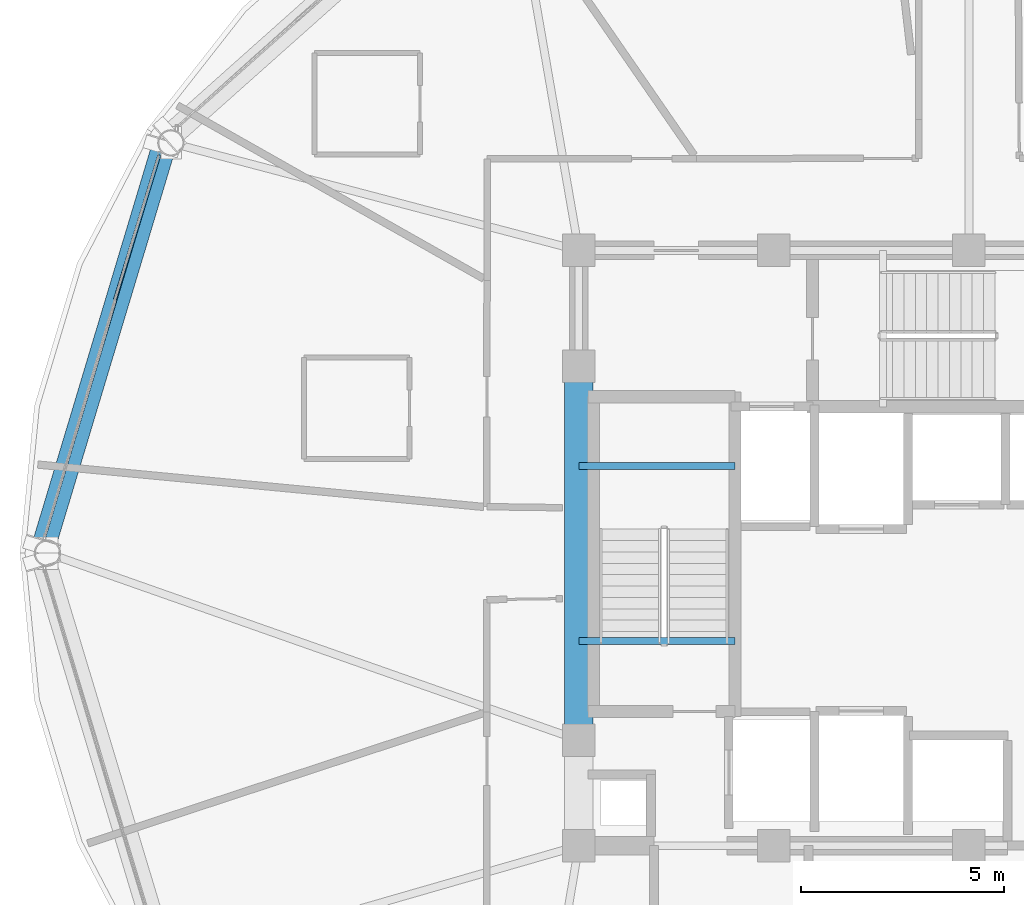
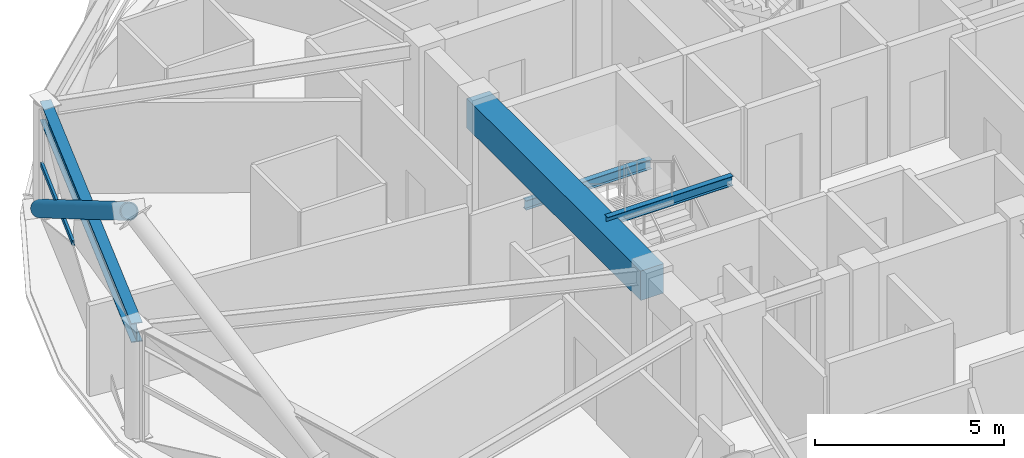
# One storey, part 8 of 30: 4 beams, 2 members, 1 element without a shape of its own.
"""IFC4 building model written with IfcOpenShell, lengths in metres."""

import ifcopenshell
import ifcopenshell.guid

model = None  # the IFC model being written
_history = None  # IfcOwnerHistory: only IFC2X3 demands one
_inside = {}  # id of a spatial element -> (the spatial element, [elements in it])
_under = {}  # id of a project, library or spatial element -> (it, [spatial elements below it])
_declared = {}  # id of a project -> (the project, [libraries it declares])
_typed = {}  # id of a type object -> (the type object, [elements of that type])
_made_of = {}  # id of a material, layer set ... -> (it, [elements and type objects made of it])


def new_model(schema):
    """Start an empty IFC model of exactly this schema.

    Asked for "IFC4X3", IfcOpenShell would pick the latest addendum, in which some entities
    have other attributes; the version numbers below select the first issue.
    IFC2X3 requires an IfcOwnerHistory on every rooted entity: one is made here for all.
    """
    global model, _history
    if schema == "IFC4X3":
        model = ifcopenshell.file(schema_version=(4, 3, 0, 0))
    else:
        model = ifcopenshell.file(schema=schema)
    _inside.clear()
    _under.clear()
    _declared.clear()
    _typed.clear()
    _made_of.clear()
    _history = None
    if model.schema == "IFC2X3":
        org = make("IfcOrganization", Name="unknown")
        user = make(
            "IfcPersonAndOrganization",
            ThePerson=make("IfcPerson", FamilyName="unknown"),
            TheOrganization=org,
        )
        app = make(
            "IfcApplication",
            ApplicationDeveloper=org,
            Version="unknown",
            ApplicationFullName="unknown",
            ApplicationIdentifier="unknown",
        )
        _history = make(
            "IfcOwnerHistory",
            OwningUser=user,
            OwningApplication=app,
            ChangeAction="ADDED",
            CreationDate=0,
        )
    return model


def make(cls, **values):
    """One entity of the class cls with the attributes given. An attribute that is None is left unset."""
    return model.create_entity(
        cls, **{name: value for name, value in values.items() if value is not None}
    )


def rooted(cls, **values):
    """An entity with a GlobalId (a new one), such as an element, a storey or a relation."""
    return make(cls, GlobalId=ifcopenshell.guid.new(), OwnerHistory=_history, **values)


def si_unit(unit_type, name, prefix=None):
    """IfcSIUnit, for example si_unit("LENGTHUNIT", "METRE", prefix="MILLI")."""
    return make("IfcSIUnit", UnitType=unit_type, Prefix=prefix, Name=name)


def assignment(units):
    """IfcUnitAssignment: the units of a project."""
    return None if units is None else make("IfcUnitAssignment", Units=units)


def point(xyz):
    """IfcCartesianPoint."""
    return None if xyz is None else make("IfcCartesianPoint", Coordinates=xyz)


def direction(xyz):
    """IfcDirection."""
    return None if xyz is None else make("IfcDirection", DirectionRatios=xyz)


def frame(location, z_axis=None, x_axis=None):
    """IfcAxis2Placement3D, a coordinate frame: its origin and axes. An axis left out is left unset."""
    return make(
        "IfcAxis2Placement3D",
        Location=point(location),
        Axis=direction(z_axis),
        RefDirection=direction(x_axis),
    )


def frame_2d(location, x_axis=None):
    """IfcAxis2Placement2D, a coordinate frame in the plane: its origin and x axis."""
    return make(
        "IfcAxis2Placement2D", Location=point(location), RefDirection=direction(x_axis)
    )


def origin():
    """The frame at (0, 0, 0) with its axes left unset."""
    return frame((0.0, 0.0, 0.0))


def origin_2d():
    """The frame at (0, 0) in the plane with its x axis left unset."""
    return frame_2d((0.0, 0.0))


def place(relative_to, where):
    """IfcLocalPlacement: puts the frame where relative to a parent placement (None: the world)."""
    return make(
        "IfcLocalPlacement", PlacementRelTo=relative_to, RelativePlacement=where
    )


def context(
    kind, dimensions, precision=None, world=None, true_north=None, identifier=None
):
    """IfcGeometricRepresentationContext, for example the 3D "Model" context."""
    return make(
        "IfcGeometricRepresentationContext",
        ContextIdentifier=identifier,
        ContextType=kind,
        CoordinateSpaceDimension=dimensions,
        Precision=precision,
        WorldCoordinateSystem=world,
        TrueNorth=true_north,
    )


def subcontext(parent, identifier, kind, view, scale=None):
    """IfcGeometricRepresentationSubContext, for example "Body" below "Model"."""
    return make(
        "IfcGeometricRepresentationSubContext",
        ContextIdentifier=identifier,
        ContextType=kind,
        ParentContext=parent,
        TargetScale=scale,
        TargetView=view,
    )


def project(units=None, contexts=None):
    """IfcProject with its units and contexts."""
    return rooted(
        "IfcProject",
        Name="project",
        RepresentationContexts=contexts,
        UnitsInContext=assignment(units),
    )


def spatial(cls, under=None, at=None, **own):
    """A site, building, storey or space (cls), placed at a placement, below another one or the project."""
    s = rooted(cls, ObjectPlacement=at, **own)
    if under is not None:
        _under.setdefault(under.id(), (under, []))[1].append(s)
    return s


def profile(cls, at=None, kind="AREA", **sizes):
    """A parametric profile (cls). Its sizes go by their IFC names, for example OverallWidth=200.0."""
    return make(cls, ProfileType=kind, Position=at, **sizes)


def rectangle(**sizes):
    """IfcRectangleProfileDef."""
    return profile("IfcRectangleProfileDef", **sizes)


def hollow_rectangle(**sizes):
    """IfcRectangleHollowProfileDef."""
    return profile("IfcRectangleHollowProfileDef", **sizes)


def hollow_circle(**sizes):
    """IfcCircleHollowProfileDef."""
    return profile("IfcCircleHollowProfileDef", **sizes)


def i_section(**sizes):
    """IfcIShapeProfileDef."""
    return profile("IfcIShapeProfileDef", **sizes)


def extrude(swept, where, along, depth):
    """IfcExtrudedAreaSolid: the profile swept, set in the frame where, extruded along a direction by depth."""
    return make(
        "IfcExtrudedAreaSolid",
        SweptArea=swept,
        Position=where,
        ExtrudedDirection=direction(along),
        Depth=depth,
    )


def shape(context_of_items, identifier, shape_type, items):
    """IfcShapeRepresentation: the items that make up one representation, for example the "Body"."""
    return make(
        "IfcShapeRepresentation",
        ContextOfItems=context_of_items,
        RepresentationIdentifier=identifier,
        RepresentationType=shape_type,
        Items=items,
    )


def material(Name=None, Category=None):
    """IfcMaterial."""
    return make("IfcMaterial", Name=Name, Category=Category)


def layer(
    of_material, thickness, ventilated=None, Name=None, Category=None, Priority=None
):
    """IfcMaterialLayer: one layer of a wall or slab, of a material (None: an air gap)."""
    return make(
        "IfcMaterialLayer",
        Material=of_material,
        LayerThickness=thickness,
        IsVentilated=ventilated,
        Name=Name,
        Category=Category,
        Priority=Priority,
    )


def layer_set(layers, Name=None):
    """IfcMaterialLayerSet."""
    return make("IfcMaterialLayerSet", MaterialLayers=layers, LayerSetName=Name)


def material_profile(
    of_material, cross_section, Name=None, Category=None, Priority=None
):
    """IfcMaterialProfile: a cross section and its material."""
    return make(
        "IfcMaterialProfile",
        Name=Name,
        Material=of_material,
        Profile=cross_section,
        Priority=Priority,
        Category=Category,
    )


def profile_set(profiles, Name=None, composite=None):
    """IfcMaterialProfileSet."""
    return make(
        "IfcMaterialProfileSet",
        Name=Name,
        MaterialProfiles=profiles,
        CompositeProfile=composite,
    )


def made_of(thing, what):
    """Note that an element or type object is made of a material, layer set ...; save() writes the relation."""
    if what is not None:
        _made_of.setdefault(what.id(), (what, []))[1].append(thing)
    return thing


def type_object(cls, material=None, **own):
    """A type object (cls), such as IfcWallType, which elements share."""
    return made_of(rooted(cls, **own), material)


def element(
    cls,
    number,
    at=None,
    inside=None,
    cuts=None,
    type_object=None,
    material=None,
    context=None,
    identifier="Body",
    shape_type=None,
    held_by="IfcProductDefinitionShape",
    body=None,
    shapes=None,
    **own,
):
    """One element of the class cls, such as IfcWall. Its Tag is "e" and its number.

    at: its placement. inside: the storey or other place that contains it. cuts: it is an
    opening in that element (IfcRelVoidsElement). A single representation is given by context,
    identifier, shape_type and body (its items); several are given by shapes. held_by: the class
    of the entity that holds the representations. save() writes the other relations.
    """
    e = rooted(cls, Tag="e%d" % number, ObjectPlacement=at, **own)
    if body is not None:
        shapes = [shape(context, identifier, shape_type, body)]
    if shapes is not None:
        e.Representation = make(held_by, Representations=shapes)
    if inside is not None:
        _inside.setdefault(inside.id(), (inside, []))[1].append(e)
    if cuts is not None:
        rooted(
            "IfcRelVoidsElement", RelatingBuildingElement=cuts, RelatedOpeningElement=e
        )
    if type_object is not None:
        _typed.setdefault(type_object.id(), (type_object, []))[1].append(e)
    return made_of(e, material)


def aggregate(whole, parts):
    """IfcRelAggregates: a whole, such as a stair, and the parts it consists of."""
    return rooted("IfcRelAggregates", RelatingObject=whole, RelatedObjects=parts)


def save(model, path):
    """Write the relations noted so far, then the file.

    IfcRelAggregates (storeys below a building ...), IfcRelContainedInSpatialStructure (elements
    in a storey), IfcRelDefinesByType, IfcRelAssociatesMaterial and IfcRelDeclares: one each for
    every whole, place, type object, material and project.
    """
    for whole, parts in _under.values():
        aggregate(whole, parts)
    for where, things in _inside.values():
        rooted(
            "IfcRelContainedInSpatialStructure",
            RelatedElements=things,
            RelatingStructure=where,
        )
    for kind, things in _typed.values():
        rooted("IfcRelDefinesByType", RelatedObjects=things, RelatingType=kind)
    for what, things in _made_of.values():
        rooted("IfcRelAssociatesMaterial", RelatedObjects=things, RelatingMaterial=what)
    for by, libraries in _declared.values():
        rooted("IfcRelDeclares", RelatingContext=by, RelatedDefinitions=libraries)
    model.write(path)


model = new_model("IFC4")

# Units and contexts
model_context = context("Model", 3, precision=1e-05, world=origin(), true_north=direction((0.0, 1.0)))
body_context = subcontext(model_context, "Body", "Model", "MODEL_VIEW")
ifc_project = project(units=[si_unit("LENGTHUNIT", "METRE"), si_unit("AREAUNIT", "SQUARE_METRE"), si_unit("VOLUMEUNIT", "CUBIC_METRE"), si_unit("PLANEANGLEUNIT", "RADIAN"), si_unit("MASSUNIT", "GRAM", prefix="KILO")], contexts=[model_context])

# Site, building, storey
site_placement = place(None, origin())
site = spatial("IfcSite", under=ifc_project, at=site_placement, CompositionType="ELEMENT")
building_placement = place(site_placement, origin())
building = spatial("IfcBuilding", under=site, at=building_placement, Name="Vantalir Tower", CompositionType="ELEMENT")
storey_placement = place(building_placement, frame((0.0, 0.0, 189.89990234375)))
storey = spatial("IfcBuildingStorey", under=building, at=storey_placement, Name="L47", CompositionType="ELEMENT", Elevation=189.89990234375)

# Beams
ifc_material_1 = material(Name="Concrete C60/75", Category="concrete")
ifc_material_profile_1 = material_profile(ifc_material_1, rectangle(XDim=0.699951171875, YDim=0.949951171875, at=origin_2d()), Name="Concrete C60/75")
ifc_profile_set_1 = profile_set([ifc_material_profile_1], Name="Concrete C60/75")
beam_type_1 = type_object("IfcBeamType", Name="BM-CB-700x950", PredefinedType="USERDEFINED", material=ifc_profile_set_1)
beam_1_placement = place(storey_placement, frame((21.89990234375, 29.60009765625, 3.09521484375), z_axis=(0.0, -1.0, 0.0), x_axis=(1.0, 0.0, 0.0)))
element("IfcBeam", 1, at=beam_1_placement, inside=storey, type_object=beam_type_1, Name="L47 Core Coupling Girder 13", ObjectType="GIRDER", PredefinedType="USERDEFINED", context=body_context, shape_type="SweptSolid", body=[
    extrude(rectangle(XDim=0.699951171875, YDim=0.949951171875, at=origin_2d()), origin(), (0.0, 0.0, 1.0), 9.2001953125),
])
ifc_material_2 = material(Name="Steel S355", Category="steel")
ifc_material_profile_2 = material_profile(ifc_material_2, i_section(OverallWidth=0.166015625, OverallDepth=0.306884765625, WebThickness=0.006591796875, FlangeThickness=0.01171875, at=origin_2d()), Name="Steel S355")
ifc_profile_set_2 = profile_set([ifc_material_profile_2], Name="Steel S355")
beam_type_2 = type_object("IfcBeamType", Name="BM-JS-305x165", PredefinedType="JOIST", material=ifc_profile_set_2)
for number, where, z_axis, x_axis, name in (
    (2, (21.89990234375, 22.8349609375, 3.59619140625), (1.0, 0.0, 0.0), (0.0, 1.0, 0.0), "L48 Stair ST1 Well Nosing Trimmer Beam"),
    (3, (21.89990234375, 27.14501953125, 1.52099609375), (1.0, 0.0, 0.0), (0.0, 1.0, 0.0), "L47 Stair ST1 Half-Landing Support Beam"),
):
    element("IfcBeam", number, at=place(storey_placement, frame(where, z_axis=z_axis, x_axis=x_axis)), inside=storey, type_object=beam_type_2, Name=name, PredefinedType="JOIST", context=body_context, shape_type="SweptSolid", body=[
        extrude(i_section(OverallWidth=0.166015625, OverallDepth=0.306884765625, WebThickness=0.006591796875, FlangeThickness=0.01171875, at=origin_2d()), origin(), (0.0, 0.0, 1.0), 3.840087890625),
    ])
ifc_material_3 = material(Name="Steel S460", Category="steel")
ifc_material_profile_3 = material_profile(ifc_material_3, i_section(OverallWidth=0.306884765625, OverallDepth=0.6201171875, WebThickness=0.01416015625, FlangeThickness=0.023681640625, at=origin_2d()), Name="Steel S460")
ifc_profile_set_3 = profile_set([ifc_material_profile_3], Name="Steel S460")
beam_type_3 = type_object("IfcBeamType", Name="BM-RG-610x305", PredefinedType="USERDEFINED", material=ifc_profile_set_3)
beam_2_placement = place(storey_placement, frame((11.862060546875, 35.093994140625, 3.260009765625), z_axis=(-0.288208317462, -0.957567734286, 0.0), x_axis=(0.957567734286, -0.288208317462, 0.0)))
element("IfcBeam", 4, at=beam_2_placement, inside=storey, type_object=beam_type_3, Name="L47 Circumferential Ring Girder 06", ObjectType="GIRDER", PredefinedType="USERDEFINED", context=body_context, shape_type="SweptSolid", body=[
    extrude(i_section(OverallWidth=0.306884765625, OverallDepth=0.6201171875, WebThickness=0.01416015625, FlangeThickness=0.023681640625, at=origin_2d()), origin(), (0.0, 0.0, 1.0), 10.541259765625),
])

# Curtain wall, member
ifc_material_4 = material(Name="Champagne-silver PVDF aluminium and double-silver Low-E glass", Category="aluminium")
ifc_layer = layer(ifc_material_4, 0.2099609375)
ifc_layer_set = layer_set([ifc_layer], Name="Champagne-silver PVDF aluminium and double-silver Low-E glass")
curtain_wall_type = type_object("IfcCurtainWallType", Name="CW-DIAMOND-Z3", PredefinedType="USERDEFINED", material=ifc_layer_set)
curtain_wall_placement = place(storey_placement, origin())
curtain_wall = element("IfcCurtainWall", 5, at=curtain_wall_placement, inside=storey, type_object=curtain_wall_type, Name="L47 Quilted Pyramid-Diamond Curtain Wall S06", ObjectType="UNITISED CURTAIN WALL", PredefinedType="USERDEFINED")
ifc_material_5 = material(Name="Champagne-silver PVDF aluminium 6063-T6", Category="aluminium")
ifc_material_profile_4 = material_profile(ifc_material_5, hollow_rectangle(XDim=0.074951171875, YDim=0.159912109375, WallThickness=0.00390625, at=origin_2d()), Name="Champagne-silver PVDF aluminium 6063-T6")
ifc_profile_set_4 = profile_set([ifc_material_profile_4], Name="Champagne-silver PVDF aluminium 6063-T6")
member_type_1 = type_object("IfcMemberType", Name="CWT-160x75", PredefinedType="USERDEFINED", material=ifc_profile_set_4)
member_1_placement = place(storey_placement, frame((11.5791015625, 34.7958984375, 1.78515625), z_axis=(-0.294076652186, -0.955781838413, 0.0), x_axis=(0.955781838413, -0.294076652186, 0.0)))
member_1 = element("IfcMember", 6, at=member_1_placement, type_object=member_type_1, Name="CW-L47-S06 Pyramid Fold Ridge Transom", ObjectType="TRANSOM", PredefinedType="USERDEFINED", context=body_context, shape_type="SweptSolid", body=[
    extrude(hollow_rectangle(XDim=0.074951171875, YDim=0.159912109375, WallThickness=0.00390625, at=origin_2d()), origin(), (0.0, 0.0, 1.0), 3.73095703125),
])
aggregate(curtain_wall, [member_1])

# Member
ifc_material_profile_5 = material_profile(ifc_material_3, hollow_circle(Radius=0.25, WallThickness=0.031982421875, at=origin_2d()), Name="Steel S460")
ifc_profile_set_5 = profile_set([ifc_material_profile_5], Name="Steel S460")
member_type_2 = type_object("IfcMemberType", Name="MEM-DB-500x32", PredefinedType="BRACE", material=ifc_profile_set_5)
member_2_placement = place(storey_placement, frame((11.64404296875, 35.013916015625, 0.203125), z_axis=(-0.238787592066, -0.794512876506, 0.558327659123), x_axis=(0.957682274061, -0.287827486437, 0.0)))
element("IfcMember", 7, at=member_2_placement, inside=storey, type_object=member_type_2, Name="L47 Perimeter S460 Diagrid Brace R16L", PredefinedType="BRACE", context=body_context, shape_type="SweptSolid", body=[
    extrude(hollow_circle(Radius=0.25, WallThickness=0.031982421875, at=origin_2d()), origin(), (0.0, 0.0, 1.0), 12.383544921875),
])

save(model, "model.ifc")
